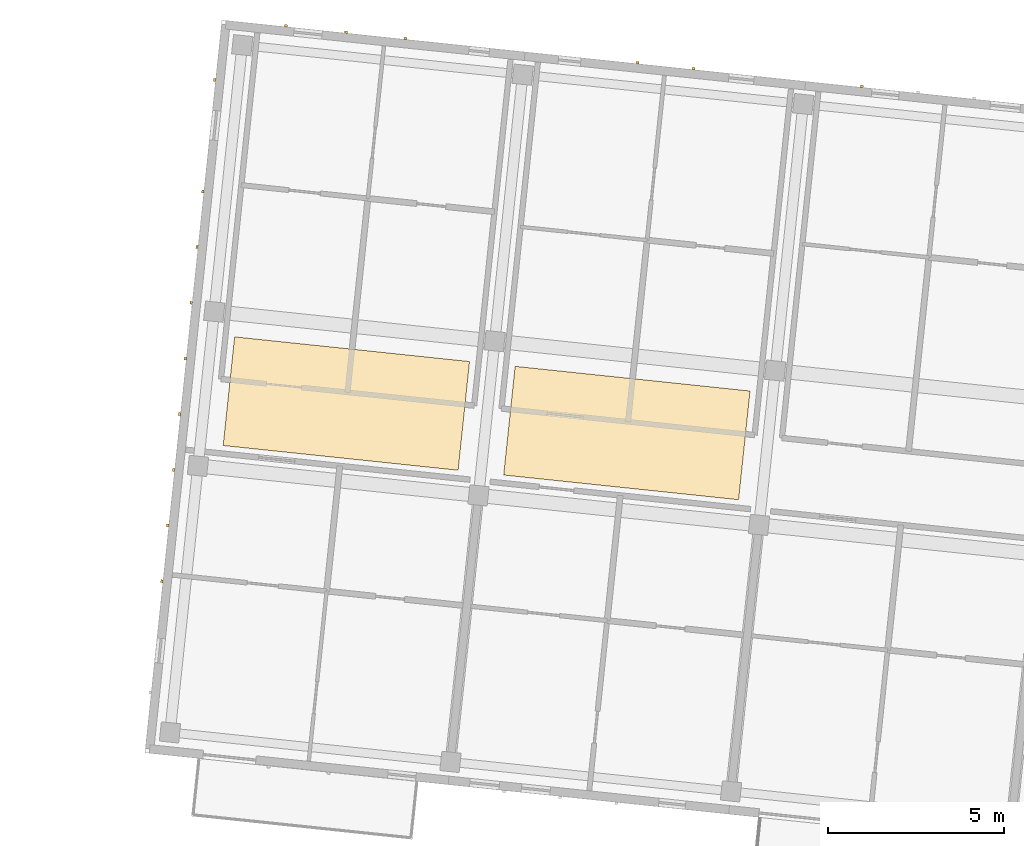
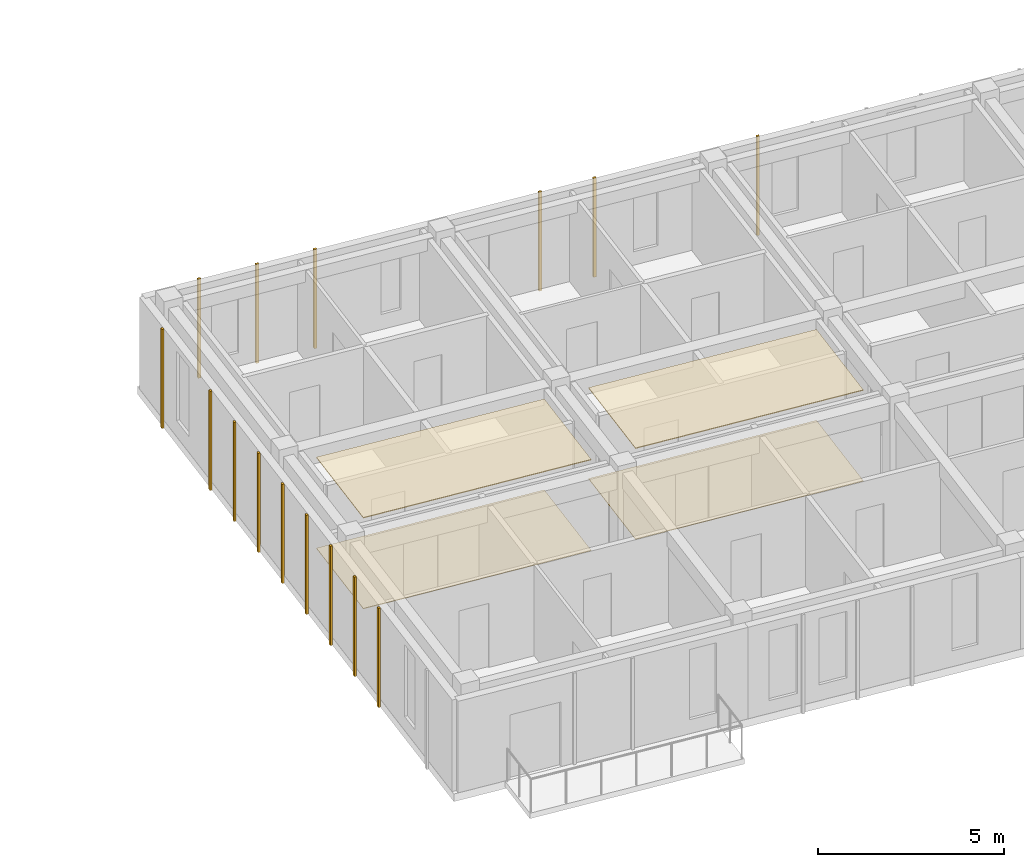
# One storey, part 58 of 66: 19 coverings.
"""IFC4 building model written with IfcOpenShell, lengths in metres."""

from ifc_helpers import new_model, si_unit, direction, frame, origin, origin_2d, place, context, subcontext, project, spatial, polyline, rectangle, outline, extrude, material, layer, layer_set, type_object, element, save


model = new_model("IFC4")

# Units and contexts
model_context = context("Model", 3, precision=1e-05, world=origin(), true_north=direction((0.0, 1.0)))
body_context = subcontext(model_context, "Body", "Model", "MODEL_VIEW")
ifc_project = project(units=[si_unit("LENGTHUNIT", "METRE"), si_unit("AREAUNIT", "SQUARE_METRE"), si_unit("VOLUMEUNIT", "CUBIC_METRE"), si_unit("PLANEANGLEUNIT", "RADIAN"), si_unit("MASSUNIT", "GRAM", prefix="KILO")], contexts=[model_context])

# Site, building, storey
site_placement = place(None, origin())
site = spatial("IfcSite", under=ifc_project, at=site_placement, CompositionType="ELEMENT")
building_placement = place(site_placement, origin())
building = spatial("IfcBuilding", under=site, at=building_placement, Name="Kestramere Prow Commons", CompositionType="ELEMENT")
storey_placement = place(building_placement, frame((0.0, 0.0, 14.89990234375)))
storey = spatial("IfcBuildingStorey", under=building, at=storey_placement, Name="L04", CompositionType="ELEMENT", Elevation=14.89990234375)

# Coverings
ifc_material_1 = material(Name="Mineral Fibre Acoustic Ceiling Tile")
ifc_layer_1 = layer(ifc_material_1, 0.02490234375)
ifc_layer_set_1 = layer_set([ifc_layer_1], Name="Mineral Fibre Acoustic Ceiling Tile")
covering_type_1 = type_object("IfcCoveringType", Name="COV-CEIL-ACOUSTIC", PredefinedType="CEILING", material=ifc_layer_set_1)
covering_1_placement = place(storey_placement, frame((0.0, 0.0, 2.97509765625)))
element("IfcCovering", 1, at=covering_1_placement, inside=storey, type_object=covering_type_1, Name="Block B L04 Corridor Acoustic Ceiling 1", PredefinedType="CEILING", context=body_context, shape_type="SweptSolid", body=[
    extrude(outline(polyline([(111.5087890625, 102.936767578125), (118.172119140625, 102.236572265625), (118.49609375, 105.319580078125), (111.832763671875, 106.019775390625), (111.5087890625, 102.936767578125)])), origin(), (0.0, 0.0, 1.0), 0.02490234375),
])
covering_2_placement = place(storey_placement, frame((0.0, 0.0, 2.97509765625)))
element("IfcCovering", 2, at=covering_2_placement, inside=storey, type_object=covering_type_1, Name="Block B L04 Corridor Acoustic Ceiling 2", PredefinedType="CEILING", context=body_context, shape_type="SweptSolid", body=[
    extrude(outline(polyline([(119.465087890625, 102.1005859375), (126.128173828125, 101.400390625), (126.452392578125, 104.4833984375), (119.7890625, 105.18359375), (119.465087890625, 102.1005859375)])), origin(), (0.0, 0.0, 1.0), 0.02490234375),
])
ifc_material_2 = material(Name="Weathered Zinc-Titanium Standing-Seam Cladding")
ifc_layer_2 = layer(ifc_material_2, 0.074951171875)
ifc_layer_set_2 = layer_set([ifc_layer_2], Name="Weathered Zinc-Titanium Standing-Seam Cladding")
covering_type_2 = type_object("IfcCoveringType", Name="COV-CLAD-SEAM", PredefinedType="CLADDING", material=ifc_layer_set_2)
for number, where, z_axis, x_axis, name in (
    (3, (113.293212890625, 114.843017578125, -0.25), (0.0, 0.0, 1.0), (0.994521895368, -0.104528463268, 0.0), "EW-B-L04-N-0 Standing-Seam Rib 1"),
    (4, (114.98876953125, 114.664794921875, -0.25), (0.0, 0.0, 1.0), (0.994521895368, -0.104528463268, 0.0), "EW-B-L04-N-0 Standing-Seam Rib 2"),
    (5, (116.684326171875, 114.486572265625, -0.25), (0.0, 0.0, 1.0), (0.994521895368, -0.104528463268, 0.0), "EW-B-L04-N-0 Standing-Seam Rib 3"),
    (6, (123.25830078125, 113.795654296875, -0.25), (0.0, 0.0, 1.0), (0.994521895368, -0.104528463268, 0.0), "EW-B-L04-N-1 Standing-Seam Rib 2"),
    (7, (124.849365234375, 113.62841796875, -0.25), (0.0, 0.0, 1.0), (0.994521895368, -0.104528463268, 0.0), "EW-B-L04-N-1 Standing-Seam Rib 3"),
    (8, (129.623046875, 113.126708984375, -0.25), (0.0, 0.0, 1.0), (0.994521895368, -0.104528463268, 0.0), "EW-B-L04-N-2 Standing-Seam Rib 1"),
    (9, (109.76953125, 99.087890625, -0.25), (0.0, 0.0, 1.0), (0.104528463268, 0.994521895368, 0.0), "EW-B-L04-EAV Standing-Seam Rib 3"),
    (10, (109.935546875, 100.667724609375, -0.25), (0.0, 0.0, 1.0), (0.104528463268, 0.994521895368, 0.0), "EW-B-L04-EAV Standing-Seam Rib 4"),
    (11, (110.1015625, 102.24755859375, -0.25), (0.0, 0.0, 1.0), (0.104528463268, 0.994521895368, 0.0), "EW-B-L04-EAV Standing-Seam Rib 5"),
    (12, (110.267578125, 103.8271484375, -0.25), (0.0, 0.0, 1.0), (0.104528463268, 0.994521895368, 0.0), "EW-B-L04-EAV Standing-Seam Rib 6"),
    (13, (110.43359375, 105.406982421875, -0.25), (0.0, 0.0, 1.0), (0.104528463268, 0.994521895368, 0.0), "EW-B-L04-EAV Standing-Seam Rib 7"),
    (14, (110.599609375, 106.98681640625, -0.25), (0.0, 0.0, 1.0), (0.104528463268, 0.994521895368, 0.0), "EW-B-L04-EAV Standing-Seam Rib 8"),
    (15, (110.765625, 108.566650390625, -0.25), (0.0, 0.0, 1.0), (0.104528463268, 0.994521895368, 0.0), "EW-B-L04-EAV Standing-Seam Rib 9"),
    (16, (110.931640625, 110.146240234375, -0.25), (0.0, 0.0, 1.0), (0.104528463268, 0.994521895368, 0.0), "EW-B-L04-EAV Standing-Seam Rib 10"),
    (17, (111.263916015625, 113.305908203125, -0.25), (0.0, 0.0, 1.0), (0.104528463268, 0.994521895368, 0.0), "EW-B-L04-EAV Standing-Seam Rib 12"),
):
    element("IfcCovering", number, at=place(storey_placement, frame(where, z_axis=z_axis, x_axis=x_axis)), inside=storey, type_object=covering_type_2, Name=name, PredefinedType="CLADDING", context=body_context, shape_type="SweptSolid", body=[
        extrude(rectangle(XDim=0.0849609375, YDim=0.06494140625, at=origin_2d()), origin(), (0.0, 0.0, 1.0), 3.25),
    ])
ifc_material_3 = material(Name="Honed Cementitious Terrazzo Tile")
ifc_layer_3 = layer(ifc_material_3, 0.02001953125)
ifc_layer_set_3 = layer_set([ifc_layer_3], Name="Honed Cementitious Terrazzo Tile")
covering_type_3 = type_object("IfcCoveringType", Name="COV-FLOOR-TERRAZZO", PredefinedType="FLOORING", material=ifc_layer_set_3)
covering_3_placement = place(storey_placement, origin())
element("IfcCovering", 18, at=covering_3_placement, inside=storey, type_object=covering_type_3, Name="Block B L04 Corridor Terrazzo Flooring 1", PredefinedType="FLOORING", context=body_context, shape_type="SweptSolid", body=[
    extrude(outline(polyline([(111.5087890625, 102.936767578125), (118.172119140625, 102.236572265625), (118.49609375, 105.319580078125), (111.832763671875, 106.019775390625), (111.5087890625, 102.936767578125)])), origin(), (0.0, 0.0, 1.0), 0.02001953125),
])
covering_4_placement = place(storey_placement, origin())
element("IfcCovering", 19, at=covering_4_placement, inside=storey, type_object=covering_type_3, Name="Block B L04 Corridor Terrazzo Flooring 2", PredefinedType="FLOORING", context=body_context, shape_type="SweptSolid", body=[
    extrude(outline(polyline([(119.465087890625, 102.1005859375), (126.128173828125, 101.400390625), (126.452392578125, 104.4833984375), (119.7890625, 105.18359375), (119.465087890625, 102.1005859375)])), origin(), (0.0, 0.0, 1.0), 0.02001953125),
])

save(model, "model.ifc")
